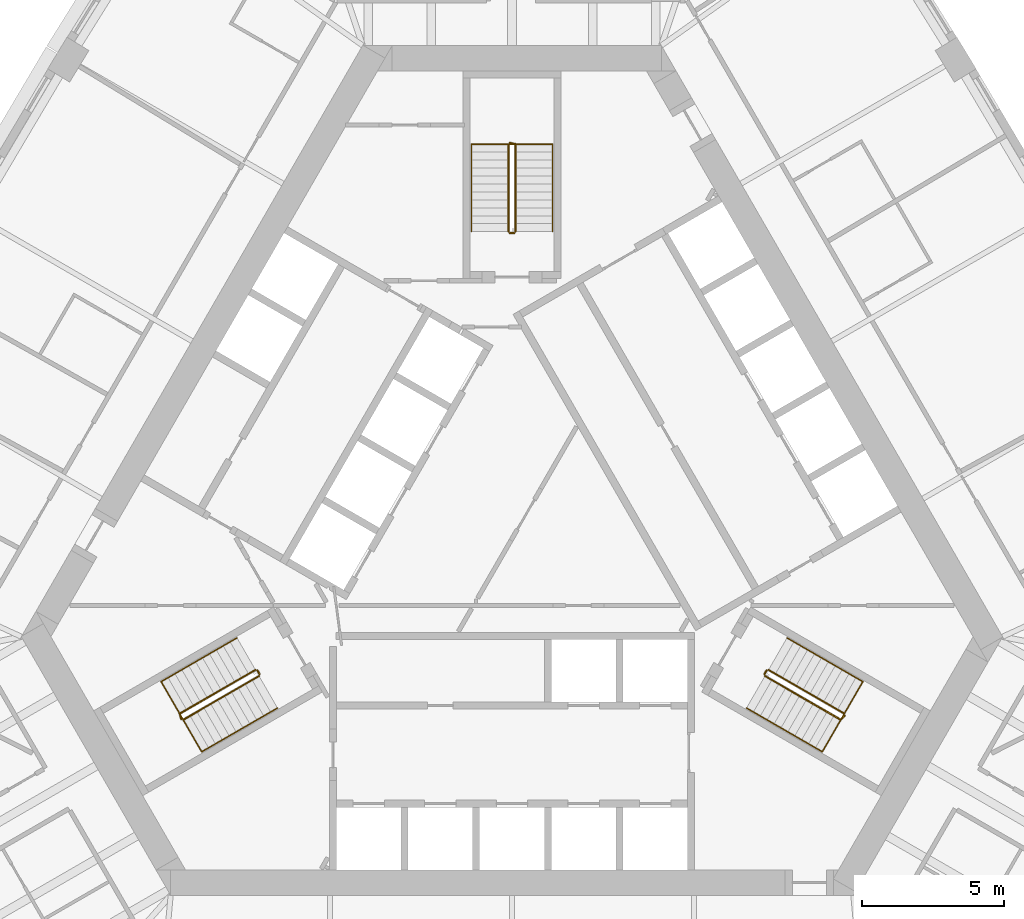
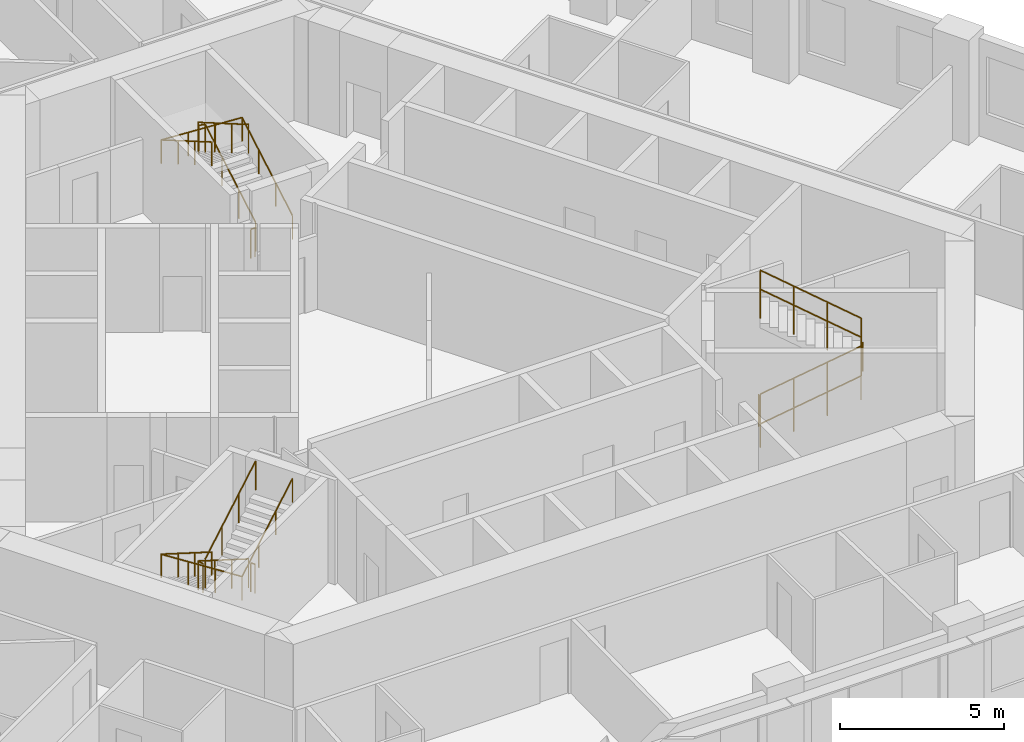
# One storey, part 12 of 12: 12 railings.
"""IFC4 building model written with IfcOpenShell, lengths in metres."""

from ifc_helpers import new_model, si_unit, direction, frame, origin, origin_2d, place, context, subcontext, project, spatial, circle, extrude, material, type_object, element, save


model = new_model("IFC4")

# Units and contexts
model_context = context("Model", 3, precision=1e-05, world=origin(), true_north=direction((0.0, 1.0)))
body_context = subcontext(model_context, "Body", "Model", "MODEL_VIEW")
ifc_project = project(units=[si_unit("LENGTHUNIT", "METRE"), si_unit("AREAUNIT", "SQUARE_METRE"), si_unit("VOLUMEUNIT", "CUBIC_METRE"), si_unit("PLANEANGLEUNIT", "RADIAN"), si_unit("MASSUNIT", "GRAM", prefix="KILO")], contexts=[model_context])

# Site, building, storey
site_placement = place(None, origin())
site = spatial("IfcSite", under=ifc_project, at=site_placement, CompositionType="ELEMENT")
building_placement = place(site_placement, origin())
building = spatial("IfcBuilding", under=site, at=building_placement, Name="Mestral Congress Tower", CompositionType="ELEMENT")
storey_placement = place(building_placement, frame((0.0, 0.0, 126.60009765625)))
storey = spatial("IfcBuildingStorey", under=building, at=storey_placement, Name="L30", CompositionType="ELEMENT", Elevation=126.60009765625)

# Railings
ifc_material_1 = material(Name="Steel balustrade", Category="steel")
railing_type_1 = type_object("IfcRailingType", Name="Stair guard 1100", PredefinedType="GUARDRAIL", material=ifc_material_1)
railing_1_placement = place(storey_placement, frame((8.90087890625, -5.283203125, 0.162353515625)))
element("IfcRailing", 1, at=railing_1_placement, inside=storey, type_object=railing_type_1, Name="L30 ST1 stair guard 1", PredefinedType="GUARDRAIL", context=body_context, shape_type="SweptSolid", body=[
    extrude(circle(Radius=0.02392578125, at=origin_2d()), frame((0.0, 0.0, 1.076171875), z_axis=(0.748993966903, -0.432462603499, 0.501980212875), x_axis=(0.500026652407, 0.866010015463, 0.0)), (0.0, 0.0, 1.0), 3.56103515625),
    extrude(circle(Radius=0.02392578125, at=origin_2d()), frame((2.667236328125, -1.5400390625, 2.86376953125), z_axis=(0.695164929852, 0.718850276695, 0.0), x_axis=(-0.718850276695, 0.695164929852, 0.0)), (0.0, 0.0, 1.0), 0.2060546875),
    extrude(circle(Radius=0.02099609375, at=origin_2d()), origin(), (0.0, 0.0, 1.0), 1.052001953125),
    extrude(circle(Radius=0.02099609375, at=origin_2d()), frame((0.88916015625, -0.513427734375, 0.595947265625)), (0.0, 0.0, 1.0), 1.052001953125),
    extrude(circle(Radius=0.02099609375, at=origin_2d()), frame((1.778076171875, -1.026611328125, 1.191650390625)), (0.0, 0.0, 1.0), 1.052001953125),
    extrude(circle(Radius=0.02099609375, at=origin_2d()), frame((2.667236328125, -1.5400390625, 1.78759765625)), (0.0, 0.0, 1.0), 1.052001953125),
    extrude(circle(Radius=0.02099609375, at=origin_2d()), frame((2.810546875, -1.391845703125, 1.78759765625)), (0.0, 0.0, 1.0), 1.052001953125),
])
railing_2_placement = place(storey_placement, frame((11.693115234375, -6.606689453125, 2.1123046875)))
element("IfcRailing", 2, at=railing_2_placement, inside=storey, type_object=railing_type_1, Name="L30 ST1 stair guard 2", PredefinedType="GUARDRAIL", context=body_context, shape_type="SweptSolid", body=[
    extrude(circle(Radius=0.02392578125, at=origin_2d()), frame((0.0, 0.0, 1.076171875), z_axis=(-0.748993966903, 0.432462603499, 0.501980212875), x_axis=(-0.500026652407, -0.866010015463, 0.0)), (0.0, 0.0, 1.0), 3.56103515625),
    extrude(circle(Radius=0.02099609375, at=origin_2d()), origin(), (0.0, 0.0, 1.0), 1.052001953125),
    extrude(circle(Radius=0.02099609375, at=origin_2d()), frame((-0.88916015625, 0.513427734375, 0.595947265625)), (0.0, 0.0, 1.0), 1.052001953125),
    extrude(circle(Radius=0.02099609375, at=origin_2d()), frame((-1.778076171875, 1.026611328125, 1.191650390625)), (0.0, 0.0, 1.0), 1.052001953125),
    extrude(circle(Radius=0.02099609375, at=origin_2d()), frame((-2.667236328125, 1.5400390625, 1.78759765625)), (0.0, 0.0, 1.0), 1.052001953125),
])
railing_3_placement = place(storey_placement, frame((8.882568359375, -5.21484375, 0.0)))
element("IfcRailing", 3, at=railing_3_placement, inside=storey, type_object=railing_type_1, Name="L30 ST1 stair guard 3", PredefinedType="GUARDRAIL", context=body_context, shape_type="SweptSolid", body=[
    extrude(circle(Radius=0.02392578125, at=origin_2d()), frame((0.0, 0.0, 1.076171875), z_axis=(0.499816412211, 0.866131372301, 0.0), x_axis=(-0.866131372301, 0.499816412211, 0.0)), (0.0, 0.0, 1.0), 0.14990234375),
    extrude(circle(Radius=0.02099609375, at=origin_2d()), origin(), (0.0, 0.0, 1.0), 1.052001953125),
    extrude(circle(Radius=0.02099609375, at=origin_2d()), frame((0.074951171875, 0.1298828125, 0.0)), (0.0, 0.0, 1.0), 1.052001953125),
])
railing_4_placement = place(storey_placement, frame((0.125, 10.35009765625, 0.162353515625)))
element("IfcRailing", 4, at=railing_4_placement, inside=storey, type_object=railing_type_1, Name="L30 ST2 stair guard 1", PredefinedType="GUARDRAIL", context=body_context, shape_type="SweptSolid", body=[
    extrude(circle(Radius=0.02392578125, at=origin_2d()), frame((0.0, 0.0, 1.076171875), z_axis=(0.0, 0.864873446163, 0.501989962173), x_axis=(-1.0, 0.0, 0.0)), (0.0, 0.0, 1.0), 3.56103515625),
    extrude(circle(Radius=0.02392578125, at=origin_2d()), frame((0.0, 3.079833984375, 2.86376953125), z_axis=(-0.970072785993, 0.242814311512, 0.0), x_axis=(-0.242814311512, -0.970072785993, 0.0)), (0.0, 0.0, 1.0), 0.2060546875),
    extrude(circle(Radius=0.02099609375, at=origin_2d()), origin(), (0.0, 0.0, 1.0), 1.052001953125),
    extrude(circle(Radius=0.02099609375, at=origin_2d()), frame((0.0, 1.026611328125, 0.595947265625)), (0.0, 0.0, 1.0), 1.052001953125),
    extrude(circle(Radius=0.02099609375, at=origin_2d()), frame((0.0, 2.05322265625, 1.191650390625)), (0.0, 0.0, 1.0), 1.052001953125),
    extrude(circle(Radius=0.02099609375, at=origin_2d()), frame((0.0, 3.079833984375, 1.78759765625)), (0.0, 0.0, 1.0), 1.052001953125),
    extrude(circle(Radius=0.02099609375, at=origin_2d()), frame((-0.199951171875, 3.1298828125, 1.78759765625)), (0.0, 0.0, 1.0), 1.052001953125),
])
railing_5_placement = place(storey_placement, frame((-0.125, 13.429931640625, 2.1123046875)))
element("IfcRailing", 5, at=railing_5_placement, inside=storey, type_object=railing_type_1, Name="L30 ST2 stair guard 2", PredefinedType="GUARDRAIL", context=body_context, shape_type="SweptSolid", body=[
    extrude(circle(Radius=0.02392578125, at=origin_2d()), frame((0.0, 0.0, 1.076171875), z_axis=(0.0, -0.864873446163, 0.501989962173), x_axis=(1.0, 0.0, 0.0)), (0.0, 0.0, 1.0), 3.56103515625),
    extrude(circle(Radius=0.02099609375, at=origin_2d()), origin(), (0.0, 0.0, 1.0), 1.052001953125),
    extrude(circle(Radius=0.02099609375, at=origin_2d()), frame((0.0, -1.026611328125, 0.595947265625)), (0.0, 0.0, 1.0), 1.052001953125),
    extrude(circle(Radius=0.02099609375, at=origin_2d()), frame((0.0, -2.05322265625, 1.191650390625)), (0.0, 0.0, 1.0), 1.052001953125),
    extrude(circle(Radius=0.02099609375, at=origin_2d()), frame((0.0, -3.079833984375, 1.78759765625)), (0.0, 0.0, 1.0), 1.052001953125),
])
railing_6_placement = place(storey_placement, frame((0.074951171875, 10.300048828125, 0.0)))
element("IfcRailing", 6, at=railing_6_placement, inside=storey, type_object=railing_type_1, Name="L30 ST2 stair guard 3", PredefinedType="GUARDRAIL", context=body_context, shape_type="SweptSolid", body=[
    extrude(circle(Radius=0.02392578125, at=origin_2d()), frame((0.0, 0.0, 1.076171875), z_axis=(-1.0, 0.0, 0.0), x_axis=(0.0, -1.0, 0.0)), (0.0, 0.0, 1.0), 0.14990234375),
    extrude(circle(Radius=0.02099609375, at=origin_2d()), origin(), (0.0, 0.0, 1.0), 1.052001953125),
    extrude(circle(Radius=0.02099609375, at=origin_2d()), frame((-0.14990234375, 0.0, 0.0)), (0.0, 0.0, 1.0), 1.052001953125),
])
railing_7_placement = place(storey_placement, frame((-9.02587890625, -5.066650390625, 0.162353515625)))
element("IfcRailing", 7, at=railing_7_placement, inside=storey, type_object=railing_type_1, Name="L30 ST3 stair guard 1", PredefinedType="GUARDRAIL", context=body_context, shape_type="SweptSolid", body=[
    extrude(circle(Radius=0.02392578125, at=origin_2d()), frame((0.0, 0.0, 1.076171875), z_axis=(-0.748993966903, -0.432462603499, 0.501980212875), x_axis=(0.500026652407, -0.866010015463, 0.0)), (0.0, 0.0, 1.0), 3.56103515625),
    extrude(circle(Radius=0.02392578125, at=origin_2d()), frame((-2.667236328125, -1.5400390625, 2.86376953125), z_axis=(0.274721127897, -0.961523947641, 0.0), x_axis=(0.961523947641, 0.274721127897, 0.0)), (0.0, 0.0, 1.0), 0.2060546875),
    extrude(circle(Radius=0.02099609375, at=origin_2d()), origin(), (0.0, 0.0, 1.0), 1.052001953125),
    extrude(circle(Radius=0.02099609375, at=origin_2d()), frame((-0.88916015625, -0.513427734375, 0.595947265625)), (0.0, 0.0, 1.0), 1.052001953125),
    extrude(circle(Radius=0.02099609375, at=origin_2d()), frame((-1.778076171875, -1.026611328125, 1.191650390625)), (0.0, 0.0, 1.0), 1.052001953125),
    extrude(circle(Radius=0.02099609375, at=origin_2d()), frame((-2.667236328125, -1.5400390625, 1.78759765625)), (0.0, 0.0, 1.0), 1.052001953125),
    extrude(circle(Radius=0.02099609375, at=origin_2d()), frame((-2.610595703125, -1.73828125, 1.78759765625)), (0.0, 0.0, 1.0), 1.052001953125),
])
railing_8_placement = place(storey_placement, frame((-11.568115234375, -6.8232421875, 2.1123046875)))
element("IfcRailing", 8, at=railing_8_placement, inside=storey, type_object=railing_type_1, Name="L30 ST3 stair guard 2", PredefinedType="GUARDRAIL", context=body_context, shape_type="SweptSolid", body=[
    extrude(circle(Radius=0.02392578125, at=origin_2d()), frame((0.0, 0.0, 1.076171875), z_axis=(0.748993966903, 0.432462603499, 0.501980212875), x_axis=(-0.500026652407, 0.866010015463, 0.0)), (0.0, 0.0, 1.0), 3.56103515625),
    extrude(circle(Radius=0.02099609375, at=origin_2d()), origin(), (0.0, 0.0, 1.0), 1.052001953125),
    extrude(circle(Radius=0.02099609375, at=origin_2d()), frame((0.88916015625, 0.513427734375, 0.595947265625)), (0.0, 0.0, 1.0), 1.052001953125),
    extrude(circle(Radius=0.02099609375, at=origin_2d()), frame((1.778076171875, 1.026611328125, 1.191650390625)), (0.0, 0.0, 1.0), 1.052001953125),
    extrude(circle(Radius=0.02099609375, at=origin_2d()), frame((2.667236328125, 1.5400390625, 1.78759765625)), (0.0, 0.0, 1.0), 1.052001953125),
])
railing_9_placement = place(storey_placement, frame((-8.95751953125, -5.0849609375, 0.0)))
element("IfcRailing", 9, at=railing_9_placement, inside=storey, type_object=railing_type_1, Name="L30 ST3 stair guard 3", PredefinedType="GUARDRAIL", context=body_context, shape_type="SweptSolid", body=[
    extrude(circle(Radius=0.02392578125, at=origin_2d()), frame((0.0, 0.0, 1.076171875), z_axis=(0.499816412211, -0.866131372301, 0.0), x_axis=(0.866131372301, 0.499816412211, 0.0)), (0.0, 0.0, 1.0), 0.14990234375),
    extrude(circle(Radius=0.02099609375, at=origin_2d()), origin(), (0.0, 0.0, 1.0), 1.052001953125),
    extrude(circle(Radius=0.02099609375, at=origin_2d()), frame((0.074951171875, -0.1298828125, 0.0)), (0.0, 0.0, 1.0), 1.052001953125),
])
ifc_material_2 = material(Name="Steel handrail", Category="steel")
railing_type_2 = type_object("IfcRailingType", Name="Stair handrail 900", PredefinedType="HANDRAIL", material=ifc_material_2)
railing_10_placement = place(storey_placement, frame((8.2509765625, -6.4091796875, 0.162353515625)))
element("IfcRailing", 10, at=railing_10_placement, inside=storey, type_object=railing_type_2, Name="L30 ST1 stair handrail 1", PredefinedType="HANDRAIL", context=body_context, shape_type="SweptSolid", body=[
    extrude(circle(Radius=0.02392578125, at=origin_2d()), frame((0.0, 0.0, 0.8759765625), z_axis=(0.749016172816, -0.432406865167, 0.50199509541), x_axis=(0.499967199496, 0.866044340336, 0.0)), (0.0, 0.0, 1.0), 3.56103515625),
    extrude(circle(Radius=0.02392578125, at=origin_2d()), frame((2.667236328125, -1.539794921875, 2.66357421875), z_axis=(0.499226936105, 0.864602552182, 0.056876120012), x_axis=(-0.866004402611, 0.500036373335, 0.0)), (0.0, 0.0, 1.0), 2.8544921875),
    extrude(circle(Radius=0.02392578125, at=origin_2d()), frame((4.09228515625, 0.92822265625, 2.82568359375), z_axis=(-0.74902406201, 0.432440397507, 0.501954437309), x_axis=(-0.499992328818, -0.866029832698, 0.0)), (0.0, 0.0, 1.0), 3.561279296875),
    extrude(circle(Radius=0.02099609375, at=origin_2d()), origin(), (0.0, 0.0, 1.0), 0.851806640625),
    extrude(circle(Radius=0.02099609375, at=origin_2d()), frame((0.88916015625, -0.51318359375, 0.595947265625)), (0.0, 0.0, 1.0), 0.851806640625),
    extrude(circle(Radius=0.02099609375, at=origin_2d()), frame((1.778076171875, -1.026611328125, 1.191650390625)), (0.0, 0.0, 1.0), 0.851806640625),
    extrude(circle(Radius=0.02099609375, at=origin_2d()), frame((2.667236328125, -1.539794921875, 1.78759765625)), (0.0, 0.0, 1.0), 0.851806640625),
    extrude(circle(Radius=0.02099609375, at=origin_2d()), frame((3.142333984375, -0.717041015625, 1.841796875)), (0.0, 0.0, 1.0), 0.851806640625),
    extrude(circle(Radius=0.02099609375, at=origin_2d()), frame((3.6171875, 0.10546875, 1.895751953125)), (0.0, 0.0, 1.0), 0.851806640625),
    extrude(circle(Radius=0.02099609375, at=origin_2d()), frame((4.09228515625, 0.92822265625, 1.949951171875)), (0.0, 0.0, 1.0), 0.851806640625),
    extrude(circle(Radius=0.02099609375, at=origin_2d()), frame((3.203125, 1.441650390625, 2.5458984375)), (0.0, 0.0, 1.0), 0.851806640625),
    extrude(circle(Radius=0.02099609375, at=origin_2d()), frame((2.31396484375, 1.954833984375, 3.1416015625)), (0.0, 0.0, 1.0), 0.851806640625),
    extrude(circle(Radius=0.02099609375, at=origin_2d()), frame((1.4248046875, 2.46826171875, 3.737548828125)), (0.0, 0.0, 1.0), 0.851806640625),
])
railing_11_placement = place(storey_placement, frame((1.425048828125, 10.35009765625, 0.162353515625)))
element("IfcRailing", 11, at=railing_11_placement, inside=storey, type_object=railing_type_2, Name="L30 ST2 stair handrail 1", PredefinedType="HANDRAIL", context=body_context, shape_type="SweptSolid", body=[
    extrude(circle(Radius=0.02392578125, at=origin_2d()), frame((0.0, 0.0, 0.8759765625), z_axis=(0.0, 0.864873446163, 0.501989962173), x_axis=(-1.0, 0.0, 0.0)), (0.0, 0.0, 1.0), 3.56103515625),
    extrude(circle(Radius=0.02392578125, at=origin_2d()), frame((0.0, 3.079833984375, 2.66357421875), z_axis=(-0.998381478221, 0.0, 0.056871996147), x_axis=(0.0, -1.0, 0.0)), (0.0, 0.0, 1.0), 2.854736328125),
    extrude(circle(Radius=0.02392578125, at=origin_2d()), frame((-2.85009765625, 3.079833984375, 2.82568359375), z_axis=(0.0, -0.864873446163, 0.501989962173), x_axis=(1.0, 0.0, 0.0)), (0.0, 0.0, 1.0), 3.56103515625),
    extrude(circle(Radius=0.02099609375, at=origin_2d()), origin(), (0.0, 0.0, 1.0), 0.851806640625),
    extrude(circle(Radius=0.02099609375, at=origin_2d()), frame((0.0, 1.026611328125, 0.595947265625)), (0.0, 0.0, 1.0), 0.851806640625),
    extrude(circle(Radius=0.02099609375, at=origin_2d()), frame((0.0, 2.05322265625, 1.191650390625)), (0.0, 0.0, 1.0), 0.851806640625),
    extrude(circle(Radius=0.02099609375, at=origin_2d()), frame((0.0, 3.079833984375, 1.78759765625)), (0.0, 0.0, 1.0), 0.851806640625),
    extrude(circle(Radius=0.02099609375, at=origin_2d()), frame((-0.949951171875, 3.079833984375, 1.841796875)), (0.0, 0.0, 1.0), 0.851806640625),
    extrude(circle(Radius=0.02099609375, at=origin_2d()), frame((-1.900146484375, 3.079833984375, 1.895751953125)), (0.0, 0.0, 1.0), 0.851806640625),
    extrude(circle(Radius=0.02099609375, at=origin_2d()), frame((-2.85009765625, 3.079833984375, 1.949951171875)), (0.0, 0.0, 1.0), 0.851806640625),
    extrude(circle(Radius=0.02099609375, at=origin_2d()), frame((-2.85009765625, 2.05322265625, 2.5458984375)), (0.0, 0.0, 1.0), 0.851806640625),
    extrude(circle(Radius=0.02099609375, at=origin_2d()), frame((-2.85009765625, 1.026611328125, 3.1416015625)), (0.0, 0.0, 1.0), 0.851806640625),
    extrude(circle(Radius=0.02099609375, at=origin_2d()), frame((-2.85009765625, 0.0, 3.737548828125)), (0.0, 0.0, 1.0), 0.851806640625),
])
railing_12_placement = place(storey_placement, frame((-9.67578125, -3.94091796875, 0.162353515625)))
element("IfcRailing", 12, at=railing_12_placement, inside=storey, type_object=railing_type_2, Name="L30 ST3 stair handrail 1", PredefinedType="HANDRAIL", context=body_context, shape_type="SweptSolid", body=[
    extrude(circle(Radius=0.02392578125, at=origin_2d()), frame((0.0, 0.0, 0.8759765625), z_axis=(-0.74902406201, -0.432440397507, 0.501954437309), x_axis=(0.499992328818, -0.866029832698, 0.0)), (0.0, 0.0, 1.0), 3.561279296875),
    extrude(circle(Radius=0.02392578125, at=origin_2d()), frame((-2.66748046875, -1.5400390625, 2.66357421875), z_axis=(0.499226936105, -0.864602552182, 0.056876120012), x_axis=(0.866004402611, 0.500036373335, 0.0)), (0.0, 0.0, 1.0), 2.8544921875),
    extrude(circle(Radius=0.02392578125, at=origin_2d()), frame((-1.242431640625, -4.008056640625, 2.82568359375), z_axis=(0.749016172816, 0.432406865167, 0.50199509541), x_axis=(-0.499967199496, 0.866044340336, 0.0)), (0.0, 0.0, 1.0), 3.56103515625),
    extrude(circle(Radius=0.02099609375, at=origin_2d()), origin(), (0.0, 0.0, 1.0), 0.851806640625),
    extrude(circle(Radius=0.02099609375, at=origin_2d()), frame((-0.88916015625, -0.513427734375, 0.595947265625)), (0.0, 0.0, 1.0), 0.851806640625),
    extrude(circle(Radius=0.02099609375, at=origin_2d()), frame((-1.7783203125, -1.026611328125, 1.191650390625)), (0.0, 0.0, 1.0), 0.851806640625),
    extrude(circle(Radius=0.02099609375, at=origin_2d()), frame((-2.66748046875, -1.5400390625, 1.78759765625)), (0.0, 0.0, 1.0), 0.851806640625),
    extrude(circle(Radius=0.02099609375, at=origin_2d()), frame((-2.1923828125, -2.36279296875, 1.841796875)), (0.0, 0.0, 1.0), 0.851806640625),
    extrude(circle(Radius=0.02099609375, at=origin_2d()), frame((-1.717529296875, -3.185302734375, 1.895751953125)), (0.0, 0.0, 1.0), 0.851806640625),
    extrude(circle(Radius=0.02099609375, at=origin_2d()), frame((-1.242431640625, -4.008056640625, 1.949951171875)), (0.0, 0.0, 1.0), 0.851806640625),
    extrude(circle(Radius=0.02099609375, at=origin_2d()), frame((-0.353271484375, -3.494873046875, 2.5458984375)), (0.0, 0.0, 1.0), 0.851806640625),
    extrude(circle(Radius=0.02099609375, at=origin_2d()), frame((0.53564453125, -2.9814453125, 3.1416015625)), (0.0, 0.0, 1.0), 0.851806640625),
    extrude(circle(Radius=0.02099609375, at=origin_2d()), frame((1.4248046875, -2.46826171875, 3.737548828125)), (0.0, 0.0, 1.0), 0.851806640625),
])

save(model, "model.ifc")
